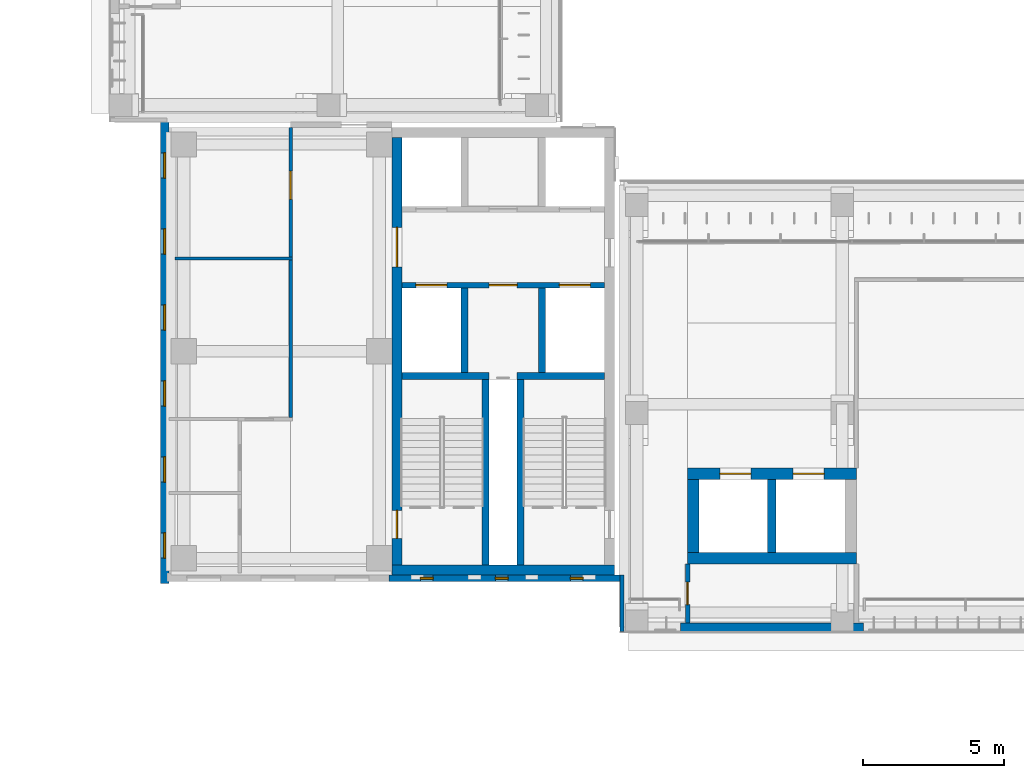
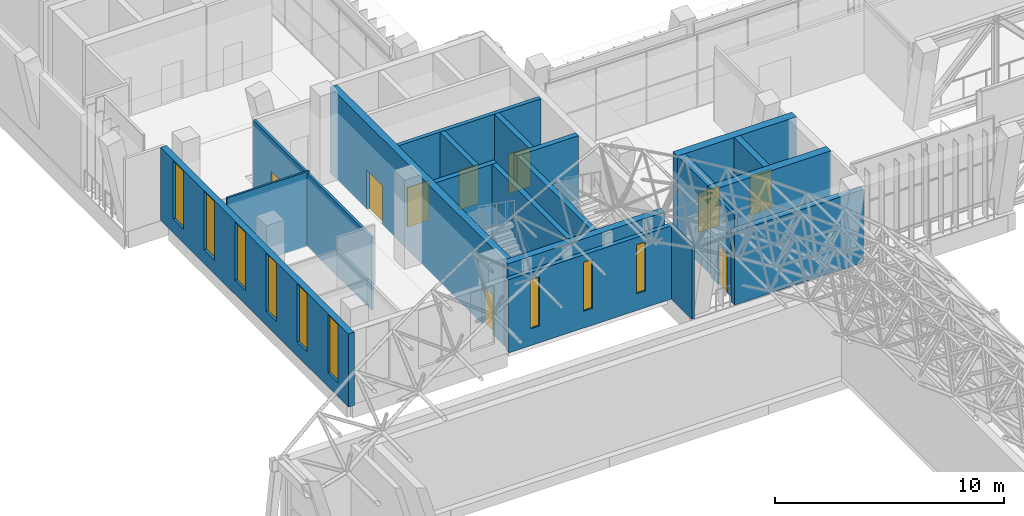
# One storey, part 104 of 141: 20 walls, 9 doors, 9 windows, 18 openings.
"""IFC4 building model written with IfcOpenShell, lengths in metres."""

from ifc_helpers import new_model, si_unit, direction, frame, frame_2d, origin, place, context, subcontext, project, spatial, rectangle, extrude, material, layer, layer_set, type_object, element, fill, save


model = new_model("IFC4")

# Units and contexts
model_context = context("Model", 3, precision=1e-05, world=origin(), true_north=direction((0.0, 1.0)))
body_context = subcontext(model_context, "Body", "Model", "MODEL_VIEW")
ifc_project = project(units=[si_unit("LENGTHUNIT", "METRE"), si_unit("AREAUNIT", "SQUARE_METRE"), si_unit("VOLUMEUNIT", "CUBIC_METRE"), si_unit("PLANEANGLEUNIT", "RADIAN"), si_unit("MASSUNIT", "GRAM", prefix="KILO")], contexts=[model_context])

# Site, building, storey
site_placement = place(None, origin())
site = spatial("IfcSite", under=ifc_project, at=site_placement, CompositionType="ELEMENT")
building_placement = place(site_placement, origin())
building = spatial("IfcBuilding", under=site, at=building_placement, Name="Lantern Court Media Centre", CompositionType="ELEMENT")
storey_placement = place(building_placement, frame((0.0, 0.0, 9.60009765625)))
storey = spatial("IfcBuildingStorey", under=building, at=storey_placement, Name="L02", CompositionType="ELEMENT", Elevation=9.60009765625)

# Wall, opening, door
ifc_material_1 = material(Name="Gypsum board partition")
ifc_layer_1 = layer(ifc_material_1, 0.125)
ifc_layer_set_1 = layer_set([ifc_layer_1], Name="Gypsum board partition")
wall_type_1 = type_object("IfcWallType", Name="Corridor partition 125", PredefinedType="PARTITIONING", material=ifc_layer_set_1)
wall_1_placement = place(storey_placement, frame((12.39990234375, 53.604736328125, 0.0), z_axis=(0.0, 0.0, 1.0), x_axis=(0.0, 1.0, 0.0)))
wall_1 = element("IfcWall", 1, at=wall_1_placement, inside=storey, type_object=wall_type_1, Name="L02 partition 036", PredefinedType="PARTITIONING", context=body_context, shape_type="SweptSolid", body=[
    extrude(rectangle(XDim=10.295166015625, YDim=0.125, at=frame_2d((5.1474609375, 0.0))), origin(), (0.0, 0.0, 1.0), 3.8798828125),
])
opening_1_placement = place(wall_1_placement, frame((7.7451171875, 0.0, 0.0)))
opening_1 = element("IfcOpeningElement", 2, at=opening_1_placement, cuts=wall_1, Name="Opening L02-032", PredefinedType="OPENING", context=body_context, shape_type="SweptSolid", body=[
    extrude(rectangle(XDim=1.0, YDim=2.10009765625, at=frame_2d((0.5, 1.050048828125))), frame((0.0, 0.072509765625, 0.0), z_axis=(0.0, -1.0, 0.0), x_axis=(1.0, 0.0, 0.0)), (0.0, 0.0, 1.0), 0.14501953125),
])
ifc_material_2 = material(Name="Solid-core timber door leaf", Category="wood")
door_type_1 = type_object("IfcDoorType", Name="Single door 1000x2100", OperationType="NOTDEFINED", PredefinedType="DOOR", material=ifc_material_2)
door_1_placement = place(opening_1_placement, origin())
door_1 = element("IfcDoor", 3, at=door_1_placement, inside=storey, type_object=door_type_1, Name="L02 Community Room 03 door", OperationType="SINGLE_SWING_LEFT", OverallHeight=2.10009765625, OverallWidth=1.0, PredefinedType="DOOR", context=body_context, shape_type="SweptSolid", body=[
    extrude(rectangle(XDim=1.0, YDim=2.10009765625, at=frame_2d((0.5, 1.050048828125))), frame((0.0, 0.02490234375, 0.0), z_axis=(0.0, -1.0, 0.0), x_axis=(1.0, 0.0, 0.0)), (0.0, 0.0, 1.0), 0.050048828125),
])
fill(opening_1, door_1)

# Wall, openings, doors
ifc_material_3 = material(Name="Concrete C40", Category="concrete")
ifc_layer_2 = layer(ifc_material_3, 0.199951171875)
ifc_layer_set_2 = layer_set([ifc_layer_2], Name="Concrete C40")
wall_type_2 = type_object("IfcWallType", Name="Fire lobby wall 200", PredefinedType="SOLIDWALL", material=ifc_layer_set_2)
wall_2_placement = place(storey_placement, frame((16.35009765625, 58.300048828125, 0.0), z_axis=(0.0, 0.0, 1.0), x_axis=(1.0, 0.0, 0.0)))
wall_2 = element("IfcWall", 4, at=wall_2_placement, inside=storey, type_object=wall_type_2, Name="L02 SW FW1", PredefinedType="SOLIDWALL", context=body_context, shape_type="SweptSolid", body=[
    extrude(rectangle(XDim=7.199951171875, YDim=0.199951171875, at=frame_2d((3.60009765625, 0.0))), origin(), (0.0, 0.0, 1.0), 4.5498046875),
])
opening_2_placement = place(wall_2_placement, frame((0.5, 0.0, 0.0)))
opening_2 = element("IfcOpeningElement", 5, at=opening_2_placement, cuts=wall_2, Name="Opening LD-SWFF-L02", PredefinedType="OPENING", context=body_context, shape_type="SweptSolid", body=[
    extrude(rectangle(XDim=1.10009765625, YDim=2.10009765625, at=frame_2d((0.550048828125, 1.050048828125))), frame((0.0, 0.10986328125, 0.0), z_axis=(0.0, -1.0, 0.0), x_axis=(1.0, 0.0, 0.0)), (0.0, 0.0, 1.0), 0.219970703125),
])
opening_3_placement = place(wall_2_placement, frame((5.60009765625, 0.0, 0.0)))
opening_3 = element("IfcOpeningElement", 6, at=opening_3_placement, cuts=wall_2, Name="Opening LD-SWP1-L02", PredefinedType="OPENING", context=body_context, shape_type="SweptSolid", body=[
    extrude(rectangle(XDim=1.10009765625, YDim=2.10009765625, at=frame_2d((0.550048828125, 1.050048828125))), frame((0.0, 0.10986328125, 0.0), z_axis=(0.0, -1.0, 0.0), x_axis=(1.0, 0.0, 0.0)), (0.0, 0.0, 1.0), 0.219970703125),
])
opening_4_placement = place(wall_2_placement, frame((3.10009765625, 0.0, 0.0)))
opening_4 = element("IfcOpeningElement", 7, at=opening_4_placement, cuts=wall_2, Name="Opening SW-L02-03", PredefinedType="OPENING", context=body_context, shape_type="SweptSolid", body=[
    extrude(rectangle(XDim=1.0, YDim=2.10009765625, at=frame_2d((0.5, 1.050048828125))), frame((0.0, 0.10986328125, 0.0), z_axis=(0.0, -1.0, 0.0), x_axis=(1.0, 0.0, 0.0)), (0.0, 0.0, 1.0), 0.219970703125),
])
ifc_material_4 = material(Name="Steel door leaf", Category="steel")
door_type_2 = type_object("IfcDoorType", Name="Lift landing door 1100x2100", OperationType="DOUBLE_DOOR_SLIDING", PredefinedType="DOOR", material=ifc_material_4)
door_2_placement = place(opening_2_placement, origin())
door_2 = element("IfcDoor", 8, at=door_2_placement, inside=storey, type_object=door_type_2, Name="L02 SW lift FF landing door", OperationType="DOUBLE_DOOR_SLIDING", OverallHeight=2.10009765625, OverallWidth=1.10009765625, PredefinedType="DOOR", context=body_context, shape_type="SweptSolid", body=[
    extrude(rectangle(XDim=1.10009765625, YDim=2.10009765625, at=frame_2d((0.550048828125, 1.050048828125))), frame((0.0, 0.02490234375, 0.0), z_axis=(0.0, -1.0, 0.0), x_axis=(1.0, 0.0, 0.0)), (0.0, 0.0, 1.0), 0.050048828125),
])
fill(opening_2, door_2)
door_3_placement = place(opening_3_placement, origin())
door_3 = element("IfcDoor", 9, at=door_3_placement, inside=storey, type_object=door_type_2, Name="L02 SW lift P1 landing door", OperationType="DOUBLE_DOOR_SLIDING", OverallHeight=2.10009765625, OverallWidth=1.10009765625, PredefinedType="DOOR", context=body_context, shape_type="SweptSolid", body=[
    extrude(rectangle(XDim=1.10009765625, YDim=2.10009765625, at=frame_2d((0.550048828125, 1.050048828125))), frame((0.0, 0.02490234375, 0.0), z_axis=(0.0, -1.0, 0.0), x_axis=(1.0, 0.0, 0.0)), (0.0, 0.0, 1.0), 0.050048828125),
])
fill(opening_3, door_3)
door_type_3 = type_object("IfcDoorType", Name="Service door 1000x2100", OperationType="NOTDEFINED", PredefinedType="DOOR", material=ifc_material_4)
door_4_placement = place(opening_4_placement, origin())
door_4 = element("IfcDoor", 10, at=door_4_placement, inside=storey, type_object=door_type_3, Name="L02 SW services riser door", OperationType="SINGLE_SWING_LEFT", OverallHeight=2.10009765625, OverallWidth=1.0, PredefinedType="DOOR", context=body_context, shape_type="SweptSolid", body=[
    extrude(rectangle(XDim=1.0, YDim=2.10009765625, at=frame_2d((0.5, 1.050048828125))), frame((0.0, 0.02490234375, 0.0), z_axis=(0.0, -1.0, 0.0), x_axis=(1.0, 0.0, 0.0)), (0.0, 0.0, 1.0), 0.050048828125),
])
fill(opening_4, door_4)

# Wall, openings, windows
ifc_material_5 = material(Name="Honed limestone cladding on blockwork", Category="masonry")
ifc_layer_3 = layer(ifc_material_5, 0.300048828125)
ifc_layer_set_3 = layer_set([ifc_layer_3], Name="Honed limestone cladding on blockwork")
wall_type_3 = type_object("IfcWallType", Name="Limestone block wall 300", PredefinedType="SOLIDWALL", material=ifc_layer_set_3)
wall_3_placement = place(storey_placement, frame((7.929931640625, 47.699951171875, 0.0), z_axis=(0.0, 0.0, 1.0), x_axis=(0.0, 1.0, 0.0)))
wall_3 = element("IfcWall", 11, at=wall_3_placement, inside=storey, type_object=wall_type_3, Name="Limestone wall SW W L02", PredefinedType="SOLIDWALL", context=body_context, shape_type="SweptSolid", body=[
    extrude(rectangle(XDim=16.400146484375, YDim=0.300048828125, at=frame_2d((8.2001953125, 0.0))), origin(), (0.0, 0.0, 1.0), 3.89990234375),
])
opening_5_placement = place(wall_3_placement, frame((0.89990234375, 0.0, 0.75)))
opening_5 = element("IfcOpeningElement", 12, at=opening_5_placement, cuts=wall_3, Name="Opening WN-N", PredefinedType="OPENING", context=body_context, shape_type="SweptSolid", body=[
    extrude(rectangle(XDim=0.89990234375, YDim=3.10009765625, at=frame_2d((0.449951171875, 1.550048828125))), frame((0.0, 0.159912109375, 0.0), z_axis=(0.0, -1.0, 0.0), x_axis=(1.0, 0.0, 0.0)), (0.0, 0.0, 1.0), 0.320068359375),
])
opening_6_placement = place(wall_3_placement, frame((3.60009765625, 0.0, 0.75)))
opening_6 = element("IfcOpeningElement", 13, at=opening_6_placement, cuts=wall_3, Name="Opening WN-N", PredefinedType="OPENING", context=body_context, shape_type="SweptSolid", body=[
    extrude(rectangle(XDim=0.89990234375, YDim=3.10009765625, at=frame_2d((0.449951171875, 1.550048828125))), frame((0.0, 0.159912109375, 0.0), z_axis=(0.0, -1.0, 0.0), x_axis=(1.0, 0.0, 0.0)), (0.0, 0.0, 1.0), 0.320068359375),
])
opening_7_placement = place(wall_3_placement, frame((6.300048828125, 0.0, 0.75)))
opening_7 = element("IfcOpeningElement", 14, at=opening_7_placement, cuts=wall_3, Name="Opening WN-N", PredefinedType="OPENING", context=body_context, shape_type="SweptSolid", body=[
    extrude(rectangle(XDim=0.89990234375, YDim=3.10009765625, at=frame_2d((0.449951171875, 1.550048828125))), frame((0.0, 0.159912109375, 0.0), z_axis=(0.0, -1.0, 0.0), x_axis=(1.0, 0.0, 0.0)), (0.0, 0.0, 1.0), 0.320068359375),
])
opening_8_placement = place(wall_3_placement, frame((9.0, 0.0, 0.75)))
opening_8 = element("IfcOpeningElement", 15, at=opening_8_placement, cuts=wall_3, Name="Opening WN-N", PredefinedType="OPENING", context=body_context, shape_type="SweptSolid", body=[
    extrude(rectangle(XDim=0.89990234375, YDim=3.10009765625, at=frame_2d((0.449951171875, 1.550048828125))), frame((0.0, 0.159912109375, 0.0), z_axis=(0.0, -1.0, 0.0), x_axis=(1.0, 0.0, 0.0)), (0.0, 0.0, 1.0), 0.320068359375),
])
opening_9_placement = place(wall_3_placement, frame((11.699951171875, 0.0, 0.75)))
opening_9 = element("IfcOpeningElement", 16, at=opening_9_placement, cuts=wall_3, Name="Opening WN-N", PredefinedType="OPENING", context=body_context, shape_type="SweptSolid", body=[
    extrude(rectangle(XDim=0.89990234375, YDim=3.10009765625, at=frame_2d((0.449951171875, 1.550048828125))), frame((0.0, 0.159912109375, 0.0), z_axis=(0.0, -1.0, 0.0), x_axis=(1.0, 0.0, 0.0)), (0.0, 0.0, 1.0), 0.320068359375),
])
opening_10_placement = place(wall_3_placement, frame((14.39990234375, 0.0, 0.75)))
opening_10 = element("IfcOpeningElement", 17, at=opening_10_placement, cuts=wall_3, Name="Opening WN-N", PredefinedType="OPENING", context=body_context, shape_type="SweptSolid", body=[
    extrude(rectangle(XDim=0.89990234375, YDim=3.10009765625, at=frame_2d((0.449951171875, 1.550048828125))), frame((0.0, 0.159912109375, 0.0), z_axis=(0.0, -1.0, 0.0), x_axis=(1.0, 0.0, 0.0)), (0.0, 0.0, 1.0), 0.320068359375),
])
ifc_material_6 = material(Name="Anodised aluminium and glass", Category="aluminium")
window_type_1 = type_object("IfcWindowType", Name="Pier window 900x3100", PartitioningType="SINGLE_PANEL", PredefinedType="WINDOW", material=ifc_material_6)
window_1_placement = place(opening_5_placement, origin())
window_1 = element("IfcWindow", 18, at=window_1_placement, inside=storey, type_object=window_type_1, Name="Window SW W L02", OverallHeight=3.10009765625, OverallWidth=0.89990234375, PartitioningType="SINGLE_PANEL", PredefinedType="WINDOW", context=body_context, shape_type="SweptSolid", body=[
    extrude(rectangle(XDim=0.89990234375, YDim=3.10009765625, at=frame_2d((0.449951171875, 1.550048828125))), frame((0.0, 0.030029296875, 0.0), z_axis=(0.0, -1.0, 0.0), x_axis=(1.0, 0.0, 0.0)), (0.0, 0.0, 1.0), 0.06005859375),
])
fill(opening_5, window_1)
window_2_placement = place(opening_6_placement, origin())
window_2 = element("IfcWindow", 19, at=window_2_placement, inside=storey, type_object=window_type_1, Name="Window SW W L02", OverallHeight=3.10009765625, OverallWidth=0.89990234375, PartitioningType="SINGLE_PANEL", PredefinedType="WINDOW", context=body_context, shape_type="SweptSolid", body=[
    extrude(rectangle(XDim=0.89990234375, YDim=3.10009765625, at=frame_2d((0.449951171875, 1.550048828125))), frame((0.0, 0.030029296875, 0.0), z_axis=(0.0, -1.0, 0.0), x_axis=(1.0, 0.0, 0.0)), (0.0, 0.0, 1.0), 0.06005859375),
])
fill(opening_6, window_2)
window_3_placement = place(opening_7_placement, origin())
window_3 = element("IfcWindow", 20, at=window_3_placement, inside=storey, type_object=window_type_1, Name="Window SW W L02", OverallHeight=3.10009765625, OverallWidth=0.89990234375, PartitioningType="SINGLE_PANEL", PredefinedType="WINDOW", context=body_context, shape_type="SweptSolid", body=[
    extrude(rectangle(XDim=0.89990234375, YDim=3.10009765625, at=frame_2d((0.449951171875, 1.550048828125))), frame((0.0, 0.030029296875, 0.0), z_axis=(0.0, -1.0, 0.0), x_axis=(1.0, 0.0, 0.0)), (0.0, 0.0, 1.0), 0.06005859375),
])
fill(opening_7, window_3)
window_4_placement = place(opening_8_placement, origin())
window_4 = element("IfcWindow", 21, at=window_4_placement, inside=storey, type_object=window_type_1, Name="Window SW W L02", OverallHeight=3.10009765625, OverallWidth=0.89990234375, PartitioningType="SINGLE_PANEL", PredefinedType="WINDOW", context=body_context, shape_type="SweptSolid", body=[
    extrude(rectangle(XDim=0.89990234375, YDim=3.10009765625, at=frame_2d((0.449951171875, 1.550048828125))), frame((0.0, 0.030029296875, 0.0), z_axis=(0.0, -1.0, 0.0), x_axis=(1.0, 0.0, 0.0)), (0.0, 0.0, 1.0), 0.06005859375),
])
fill(opening_8, window_4)
window_5_placement = place(opening_9_placement, origin())
window_5 = element("IfcWindow", 22, at=window_5_placement, inside=storey, type_object=window_type_1, Name="Window SW W L02", OverallHeight=3.10009765625, OverallWidth=0.89990234375, PartitioningType="SINGLE_PANEL", PredefinedType="WINDOW", context=body_context, shape_type="SweptSolid", body=[
    extrude(rectangle(XDim=0.89990234375, YDim=3.10009765625, at=frame_2d((0.449951171875, 1.550048828125))), frame((0.0, 0.030029296875, 0.0), z_axis=(0.0, -1.0, 0.0), x_axis=(1.0, 0.0, 0.0)), (0.0, 0.0, 1.0), 0.06005859375),
])
fill(opening_9, window_5)
window_6_placement = place(opening_10_placement, origin())
window_6 = element("IfcWindow", 23, at=window_6_placement, inside=storey, type_object=window_type_1, Name="Window SW W L02", OverallHeight=3.10009765625, OverallWidth=0.89990234375, PartitioningType="SINGLE_PANEL", PredefinedType="WINDOW", context=body_context, shape_type="SweptSolid", body=[
    extrude(rectangle(XDim=0.89990234375, YDim=3.10009765625, at=frame_2d((0.449951171875, 1.550048828125))), frame((0.0, 0.030029296875, 0.0), z_axis=(0.0, -1.0, 0.0), x_axis=(1.0, 0.0, 0.0)), (0.0, 0.0, 1.0), 0.06005859375),
])
fill(opening_10, window_6)

# Walls
ifc_layer_4 = layer(ifc_material_5, 0.139892578125)
ifc_layer_set_4 = layer_set([ifc_layer_4], Name="Honed limestone cladding on blockwork")
wall_type_4 = type_object("IfcWallType", Name="Limestone closure wall 140", PredefinedType="SOLIDWALL", material=ifc_layer_set_4)
wall_4_placement = place(storey_placement, frame((24.169921875, 46.0, 0.0), z_axis=(0.0, 0.0, 1.0), x_axis=(0.0, 1.0, 0.0)))
element("IfcWall", 24, at=wall_4_placement, inside=storey, type_object=wall_type_4, Name="Limestone closure wall S-SW L02", PredefinedType="SOLIDWALL", context=body_context, shape_type="SweptSolid", body=[
    extrude(rectangle(XDim=2.0, YDim=0.139892578125, at=frame_2d((1.0, 0.0))), origin(), (0.0, 0.0, 1.0), 3.89990234375),
])
ifc_layer_5 = layer(ifc_material_5, 0.300048828125)
ifc_layer_set_5 = layer_set([ifc_layer_5], Name="Honed limestone cladding on blockwork")
wall_type_5 = type_object("IfcWallType", Name="Limestone flank wall 300", PredefinedType="SOLIDWALL", material=ifc_layer_set_5)
wall_5_placement = place(storey_placement, frame((26.25, 46.14990234375, 0.0), z_axis=(0.0, 0.0, 1.0), x_axis=(1.0, 0.0, 0.0)))
element("IfcWall", 25, at=wall_5_placement, inside=storey, type_object=wall_type_5, Name="Limestone flank wall S outer L02", PredefinedType="SOLIDWALL", context=body_context, shape_type="SweptSolid", body=[
    extrude(rectangle(XDim=6.5, YDim=0.300048828125, at=frame_2d((3.25, 0.0))), origin(), (0.0, 0.0, 1.0), 3.89990234375),
])

# Wall, openings, windows
ifc_material_7 = material(Name="Honed limestone cladding on blockwork, reduced to 220 where it passes the core wall", Category="masonry")
ifc_layer_6 = layer(ifc_material_7, 0.219970703125)
ifc_layer_set_6 = layer_set([ifc_layer_6], Name="Honed limestone cladding on blockwork, reduced to 220 where it passes the core wall")
wall_type_6 = type_object("IfcWallType", Name="Limestone skin wall 220", PredefinedType="SOLIDWALL", material=ifc_layer_set_6)
wall_6_placement = place(storey_placement, frame((15.89990234375, 47.889892578125, 0.0), z_axis=(0.0, 0.0, 1.0), x_axis=(1.0, 0.0, 0.0)))
wall_6 = element("IfcWall", 26, at=wall_6_placement, inside=storey, type_object=wall_type_6, Name="Limestone wall SW S L02", PredefinedType="SOLIDWALL", context=body_context, shape_type="SweptSolid", body=[
    extrude(rectangle(XDim=8.2001953125, YDim=0.219970703125, at=frame_2d((4.10009765625, 0.0))), origin(), (0.0, 0.0, 1.0), 3.89990234375),
])
opening_11_placement = place(wall_6_placement, frame((1.1083984375, 0.0, 0.89990234375)))
opening_11 = element("IfcOpeningElement", 27, at=opening_11_placement, cuts=wall_6, Name="Opening WN-S", PredefinedType="OPENING", context=body_context, shape_type="SweptSolid", body=[
    extrude(rectangle(XDim=0.449951171875, YDim=2.60009765625, at=frame_2d((0.22509765625, 1.300048828125))), frame((0.0, 0.119873046875, 0.0), z_axis=(0.0, -1.0, 0.0), x_axis=(1.0, 0.0, 0.0)), (0.0, 0.0, 1.0), 0.239990234375),
])
opening_12_placement = place(wall_6_placement, frame((3.77490234375, 0.0, 0.89990234375)))
opening_12 = element("IfcOpeningElement", 28, at=opening_12_placement, cuts=wall_6, Name="Opening WN-S", PredefinedType="OPENING", context=body_context, shape_type="SweptSolid", body=[
    extrude(rectangle(XDim=0.449951171875, YDim=2.60009765625, at=frame_2d((0.22509765625, 1.300048828125))), frame((0.0, 0.119873046875, 0.0), z_axis=(0.0, -1.0, 0.0), x_axis=(1.0, 0.0, 0.0)), (0.0, 0.0, 1.0), 0.239990234375),
])
opening_13_placement = place(wall_6_placement, frame((6.441650390625, 0.0, 0.89990234375)))
opening_13 = element("IfcOpeningElement", 29, at=opening_13_placement, cuts=wall_6, Name="Opening WN-S", PredefinedType="OPENING", context=body_context, shape_type="SweptSolid", body=[
    extrude(rectangle(XDim=0.449951171875, YDim=2.60009765625, at=frame_2d((0.22509765625, 1.300048828125))), frame((0.0, 0.119873046875, 0.0), z_axis=(0.0, -1.0, 0.0), x_axis=(1.0, 0.0, 0.0)), (0.0, 0.0, 1.0), 0.239990234375),
])
window_type_2 = type_object("IfcWindowType", Name="Stair slit window 450x2600", PartitioningType="SINGLE_PANEL", PredefinedType="WINDOW", material=ifc_material_6)
window_7_placement = place(opening_11_placement, origin())
window_7 = element("IfcWindow", 30, at=window_7_placement, inside=storey, type_object=window_type_2, Name="Window SW S L02", OverallHeight=2.60009765625, OverallWidth=0.449951171875, PartitioningType="SINGLE_PANEL", PredefinedType="WINDOW", context=body_context, shape_type="SweptSolid", body=[
    extrude(rectangle(XDim=0.449951171875, YDim=2.60009765625, at=frame_2d((0.22509765625, 1.300048828125))), frame((0.0, 0.030029296875, 0.0), z_axis=(0.0, -1.0, 0.0), x_axis=(1.0, 0.0, 0.0)), (0.0, 0.0, 1.0), 0.06005859375),
])
fill(opening_11, window_7)
window_8_placement = place(opening_12_placement, origin())
window_8 = element("IfcWindow", 31, at=window_8_placement, inside=storey, type_object=window_type_2, Name="Window SW S L02", OverallHeight=2.60009765625, OverallWidth=0.449951171875, PartitioningType="SINGLE_PANEL", PredefinedType="WINDOW", context=body_context, shape_type="SweptSolid", body=[
    extrude(rectangle(XDim=0.449951171875, YDim=2.60009765625, at=frame_2d((0.22509765625, 1.300048828125))), frame((0.0, 0.030029296875, 0.0), z_axis=(0.0, -1.0, 0.0), x_axis=(1.0, 0.0, 0.0)), (0.0, 0.0, 1.0), 0.06005859375),
])
fill(opening_12, window_8)
window_9_placement = place(opening_13_placement, origin())
window_9 = element("IfcWindow", 32, at=window_9_placement, inside=storey, type_object=window_type_2, Name="Window SW S L02", OverallHeight=2.60009765625, OverallWidth=0.449951171875, PartitioningType="SINGLE_PANEL", PredefinedType="WINDOW", context=body_context, shape_type="SweptSolid", body=[
    extrude(rectangle(XDim=0.449951171875, YDim=2.60009765625, at=frame_2d((0.22509765625, 1.300048828125))), frame((0.0, 0.030029296875, 0.0), z_axis=(0.0, -1.0, 0.0), x_axis=(1.0, 0.0, 0.0)), (0.0, 0.0, 1.0), 0.06005859375),
])
fill(opening_13, window_9)

# Walls
ifc_layer_7 = layer(ifc_material_1, 0.10009765625)
ifc_layer_set_7 = layer_set([ifc_layer_7], Name="Gypsum board partition")
wall_type_7 = type_object("IfcWallType", Name="Partition 100", PredefinedType="PARTITIONING", material=ifc_layer_set_7)
wall_7_placement = place(storey_placement, frame((8.300048828125, 59.25, 0.0), z_axis=(0.0, 0.0, 1.0), x_axis=(1.0, 0.0, 0.0)))
element("IfcWall", 33, at=wall_7_placement, inside=storey, type_object=wall_type_7, Name="L02 partition 040", PredefinedType="PARTITIONING", context=body_context, shape_type="SweptSolid", body=[
    extrude(rectangle(XDim=4.162353515625, YDim=0.10009765625, at=frame_2d((2.0810546875, 0.0))), origin(), (0.0, 0.0, 1.0), 3.97998046875),
])
ifc_layer_8 = layer(ifc_material_3, 0.35009765625)
ifc_layer_set_8 = layer_set([ifc_layer_8], Name="Concrete C40")
wall_type_8 = type_object("IfcWallType", Name="RC CORE WALL 350", PredefinedType="SHEAR", material=ifc_layer_set_8)
wall_8_placement = place(storey_placement, frame((16.0, 48.175048828125, 0.0), z_axis=(0.0, 0.0, 1.0), x_axis=(1.0, 0.0, 0.0)))
element("IfcWall", 34, at=wall_8_placement, inside=storey, type_object=wall_type_8, Name="WC-SW-L02-S", PredefinedType="SHEAR", context=body_context, shape_type="SweptSolid", body=[
    extrude(rectangle(XDim=7.89990234375, YDim=0.35009765625, at=frame_2d((3.949951171875, 0.0))), origin(), (0.0, 0.0, 1.0), 4.579833984375),
])

# Wall, openings, doors
wall_9_placement = place(storey_placement, frame((16.175048828125, 48.35009765625, 0.0), z_axis=(0.0, 0.0, 1.0), x_axis=(0.0, 1.0, 0.0)))
wall_9 = element("IfcWall", 35, at=wall_9_placement, inside=storey, type_object=wall_type_8, Name="WC-SW-L02-W", PredefinedType="SHEAR", context=body_context, shape_type="SweptSolid", body=[
    extrude(rectangle(XDim=15.199951171875, YDim=0.35009765625, at=frame_2d((7.60009765625, 0.0))), origin(), (0.0, 0.0, 1.0), 4.579833984375),
])
opening_14_placement = place(wall_9_placement, frame((0.949951171875, 0.0, 0.0)))
opening_14 = element("IfcOpeningElement", 36, at=opening_14_placement, cuts=wall_9, Name="Opening SW-L02-01", PredefinedType="OPENING", context=body_context, shape_type="SweptSolid", body=[
    extrude(rectangle(XDim=1.0, YDim=2.10009765625, at=frame_2d((0.5, 1.050048828125))), frame((0.0, 0.18505859375, 0.0), z_axis=(0.0, -1.0, 0.0), x_axis=(1.0, 0.0, 0.0)), (0.0, 0.0, 1.0), 0.3701171875),
])
opening_15_placement = place(wall_9_placement, frame((10.60009765625, 0.0, 0.0)))
opening_15 = element("IfcOpeningElement", 37, at=opening_15_placement, cuts=wall_9, Name="Opening SW-L02-05", PredefinedType="OPENING", context=body_context, shape_type="SweptSolid", body=[
    extrude(rectangle(XDim=1.39990234375, YDim=2.10009765625, at=frame_2d((0.699951171875, 1.050048828125))), frame((0.0, 0.18505859375, 0.0), z_axis=(0.0, -1.0, 0.0), x_axis=(1.0, 0.0, 0.0)), (0.0, 0.0, 1.0), 0.3701171875),
])
door_type_4 = type_object("IfcDoorType", Name="Lift lobby double door 1400x2100", OperationType="NOTDEFINED", PredefinedType="DOOR", material=ifc_material_4)
door_5_placement = place(opening_15_placement, origin())
door_5 = element("IfcDoor", 38, at=door_5_placement, inside=storey, type_object=door_type_4, Name="L02 SW lift lobby west door", OperationType="SINGLE_SWING_LEFT", OverallHeight=2.10009765625, OverallWidth=1.39990234375, PredefinedType="DOOR", context=body_context, shape_type="SweptSolid", body=[
    extrude(rectangle(XDim=1.39990234375, YDim=2.10009765625, at=frame_2d((0.699951171875, 1.050048828125))), frame((0.0, 0.02490234375, 0.0), z_axis=(0.0, -1.0, 0.0), x_axis=(1.0, 0.0, 0.0)), (0.0, 0.0, 1.0), 0.050048828125),
])
fill(opening_15, door_5)
door_type_5 = type_object("IfcDoorType", Name="Stair door 1000x2100", OperationType="NOTDEFINED", PredefinedType="DOOR", material=ifc_material_4)
door_6_placement = place(opening_14_placement, origin())
door_6 = element("IfcDoor", 39, at=door_6_placement, inside=storey, type_object=door_type_5, Name="L02 SW stair A door", OperationType="SINGLE_SWING_LEFT", OverallHeight=2.10009765625, OverallWidth=1.0, PredefinedType="DOOR", context=body_context, shape_type="SweptSolid", body=[
    extrude(rectangle(XDim=1.0, YDim=2.10009765625, at=frame_2d((0.5, 1.050048828125))), frame((0.0, 0.02490234375, 0.0), z_axis=(0.0, -1.0, 0.0), x_axis=(1.0, 0.0, 0.0)), (0.0, 0.0, 1.0), 0.050048828125),
])
fill(opening_14, door_6)

# Walls
ifc_layer_9 = layer(ifc_material_3, 0.300048828125)
ifc_layer_set_9 = layer_set([ifc_layer_9], Name="Concrete C40")
wall_type_9 = type_object("IfcWallType", Name="RC SHEAR WALL 300", PredefinedType="SHEAR", material=ifc_layer_set_9)
wall_10_placement = place(storey_placement, frame((29.5, 48.800048828125, 0.0), z_axis=(0.0, 0.0, 1.0), x_axis=(0.0, 1.0, 0.0)))
element("IfcWall", 40, at=wall_10_placement, inside=storey, type_object=wall_type_9, Name="WB-S-LC1-L02-D", PredefinedType="SHEAR", context=body_context, shape_type="SweptSolid", body=[
    extrude(rectangle(XDim=2.599853515625, YDim=0.300048828125, at=frame_2d((1.2998046875, 0.0))), origin(), (0.0, 0.0, 1.0), 4.579833984375),
])
ifc_layer_10 = layer(ifc_material_3, 0.39990234375)
ifc_layer_set_10 = layer_set([ifc_layer_10], Name="Concrete C40")
wall_type_10 = type_object("IfcWallType", Name="RC SHEAR WALL 400", PredefinedType="SHEAR", material=ifc_layer_set_10)
wall_11_placement = place(storey_placement, frame((26.5, 48.60009765625, 0.0), z_axis=(0.0, 0.0, 1.0), x_axis=(1.0, 0.0, 0.0)))
element("IfcWall", 41, at=wall_11_placement, inside=storey, type_object=wall_type_10, Name="WB-S-LC1-L02-S", PredefinedType="SHEAR", context=body_context, shape_type="SweptSolid", body=[
    extrude(rectangle(XDim=6.0, YDim=0.39990234375, at=frame_2d((3.0, 0.0))), origin(), (0.0, 0.0, 1.0), 4.579833984375),
])

# Wall, openings, doors
wall_12_placement = place(storey_placement, frame((26.5, 51.60009765625, 0.0), z_axis=(0.0, 0.0, 1.0), x_axis=(1.0, 0.0, 0.0)))
wall_12 = element("IfcWall", 42, at=wall_12_placement, inside=storey, type_object=wall_type_10, Name="WB-S-LC1-L02-N", PredefinedType="SHEAR", context=body_context, shape_type="SweptSolid", body=[
    extrude(rectangle(XDim=6.0, YDim=0.39990234375, at=frame_2d((3.0, 0.0))), origin(), (0.0, 0.0, 1.0), 4.579833984375),
])
opening_16_placement = place(wall_12_placement, frame((1.14990234375, 0.0, 0.0)))
opening_16 = element("IfcOpeningElement", 43, at=opening_16_placement, cuts=wall_12, Name="Opening LD-S-LC1P-L02", PredefinedType="OPENING", context=body_context, shape_type="SweptSolid", body=[
    extrude(rectangle(XDim=1.10009765625, YDim=2.10009765625, at=frame_2d((0.550048828125, 1.050048828125))), frame((0.0, 0.2099609375, 0.0), z_axis=(0.0, -1.0, 0.0), x_axis=(1.0, 0.0, 0.0)), (0.0, 0.0, 1.0), 0.419921875),
])
opening_17_placement = place(wall_12_placement, frame((3.75, 0.0, 0.0)))
opening_17 = element("IfcOpeningElement", 44, at=opening_17_placement, cuts=wall_12, Name="Opening LD-S-LC1S-L02", PredefinedType="OPENING", context=body_context, shape_type="SweptSolid", body=[
    extrude(rectangle(XDim=1.10009765625, YDim=2.10009765625, at=frame_2d((0.550048828125, 1.050048828125))), frame((0.0, 0.2099609375, 0.0), z_axis=(0.0, -1.0, 0.0), x_axis=(1.0, 0.0, 0.0)), (0.0, 0.0, 1.0), 0.419921875),
])
door_7_placement = place(opening_16_placement, origin())
door_7 = element("IfcDoor", 45, at=door_7_placement, inside=storey, type_object=door_type_2, Name="L02 S-LC1 passenger lift landing door", OperationType="DOUBLE_DOOR_SLIDING", OverallHeight=2.10009765625, OverallWidth=1.10009765625, PredefinedType="DOOR", context=body_context, shape_type="SweptSolid", body=[
    extrude(rectangle(XDim=1.10009765625, YDim=2.10009765625, at=frame_2d((0.550048828125, 1.050048828125))), frame((0.0, 0.02490234375, 0.0), z_axis=(0.0, -1.0, 0.0), x_axis=(1.0, 0.0, 0.0)), (0.0, 0.0, 1.0), 0.050048828125),
])
fill(opening_16, door_7)
door_8_placement = place(opening_17_placement, origin())
door_8 = element("IfcDoor", 46, at=door_8_placement, inside=storey, type_object=door_type_2, Name="L02 S-LC1 service lift landing door", OperationType="DOUBLE_DOOR_SLIDING", OverallHeight=2.10009765625, OverallWidth=1.10009765625, PredefinedType="DOOR", context=body_context, shape_type="SweptSolid", body=[
    extrude(rectangle(XDim=1.10009765625, YDim=2.10009765625, at=frame_2d((0.550048828125, 1.050048828125))), frame((0.0, 0.02490234375, 0.0), z_axis=(0.0, -1.0, 0.0), x_axis=(1.0, 0.0, 0.0)), (0.0, 0.0, 1.0), 0.050048828125),
])
fill(opening_17, door_8)

# Walls
wall_13_placement = place(storey_placement, frame((26.699951171875, 48.800048828125, 0.0), z_axis=(0.0, 0.0, 1.0), x_axis=(0.0, 1.0, 0.0)))
element("IfcWall", 47, at=wall_13_placement, inside=storey, type_object=wall_type_10, Name="WB-S-LC1-L02-W", PredefinedType="SHEAR", context=body_context, shape_type="SweptSolid", body=[
    extrude(rectangle(XDim=2.599853515625, YDim=0.39990234375, at=frame_2d((1.2998046875, 0.0))), origin(), (0.0, 0.0, 1.0), 4.579833984375),
])
ifc_layer_11 = layer(ifc_material_3, 0.25)
ifc_layer_set_11 = layer_set([ifc_layer_11], Name="Concrete C40")
wall_type_11 = type_object("IfcWallType", Name="RC lift shaft wall 250", PredefinedType="SOLIDWALL", material=ifc_layer_set_11)
for number, where, z_axis, x_axis, name in (
    (48, (18.574951171875, 55.199951171875, 0.0), (0.0, 0.0, 1.0), (0.0, 1.0, 0.0), "L02 SW L1a"),
    (49, (21.324951171875, 55.199951171875, 0.0), (0.0, 0.0, 1.0), (0.0, 1.0, 0.0), "L02 SW L2a"),
):
    element("IfcWall", number, at=place(storey_placement, frame(where, z_axis=z_axis, x_axis=x_axis)), inside=storey, type_object=wall_type_11, Name=name, PredefinedType="SOLIDWALL", context=body_context, shape_type="SweptSolid", body=[
        extrude(rectangle(XDim=3.0, YDim=0.25, at=frame_2d((1.5, 0.0))), origin(), (0.0, 0.0, 1.0), 4.5498046875),
    ])
ifc_layer_12 = layer(ifc_material_3, 0.25)
ifc_layer_set_12 = layer_set([ifc_layer_12], Name="Concrete C40")
wall_type_12 = type_object("IfcWallType", Name="RC stair shaft wall 250", PredefinedType="SOLIDWALL", material=ifc_layer_set_12)
for number, where, z_axis, x_axis, name in (
    (50, (19.324951171875, 48.35009765625, 0.0), (0.0, 0.0, 1.0), (0.0, 1.0, 0.0), "L02 SW SA"),
    (51, (20.574951171875, 48.35009765625, 0.0), (0.0, 0.0, 1.0), (0.0, 1.0, 0.0), "L02 SW SB"),
):
    element("IfcWall", number, at=place(storey_placement, frame(where, z_axis=z_axis, x_axis=x_axis)), inside=storey, type_object=wall_type_12, Name=name, PredefinedType="SOLIDWALL", context=body_context, shape_type="SweptSolid", body=[
        extrude(rectangle(XDim=6.599853515625, YDim=0.25, at=frame_2d((3.2998046875, 0.0))), origin(), (0.0, 0.0, 1.0), 4.5498046875),
    ])
wall_14_placement = place(storey_placement, frame((16.35009765625, 55.074951171875, 0.0), z_axis=(0.0, 0.0, 1.0), x_axis=(1.0, 0.0, 0.0)))
element("IfcWall", 52, at=wall_14_placement, inside=storey, type_object=wall_type_12, Name="L02 SW SN1", PredefinedType="SOLIDWALL", context=body_context, shape_type="SweptSolid", body=[
    extrude(rectangle(XDim=3.099853515625, YDim=0.25, at=frame_2d((1.5498046875, 0.0))), origin(), (0.0, 0.0, 1.0), 4.5498046875),
])
wall_15_placement = place(storey_placement, frame((20.449951171875, 55.074951171875, 0.0), z_axis=(0.0, 0.0, 1.0), x_axis=(1.0, 0.0, 0.0)))
element("IfcWall", 53, at=wall_15_placement, inside=storey, type_object=wall_type_12, Name="L02 SW SN2", PredefinedType="SOLIDWALL", context=body_context, shape_type="SweptSolid", body=[
    extrude(rectangle(XDim=3.10009765625, YDim=0.25, at=frame_2d((1.550048828125, 0.0))), origin(), (0.0, 0.0, 1.0), 4.5498046875),
])

# Wall, opening, door
ifc_material_8 = material(Name="Fire-rated gypsum board")
ifc_layer_13 = layer(ifc_material_8, 0.159912109375)
ifc_layer_set_13 = layer_set([ifc_layer_13], Name="Fire-rated gypsum board")
wall_type_13 = type_object("IfcWallType", Name="Riser shaft liner wall 160", PredefinedType="PARTITIONING", material=ifc_layer_set_13)
wall_16_placement = place(storey_placement, frame((26.5, 46.300048828125, 0.0), z_axis=(0.0, 0.0, 1.0), x_axis=(0.0, 1.0, 0.0)))
wall_16 = element("IfcWall", 54, at=wall_16_placement, inside=storey, type_object=wall_type_13, Name="L02 partition 000", PredefinedType="PARTITIONING", context=body_context, shape_type="SweptSolid", body=[
    extrude(rectangle(XDim=2.099853515625, YDim=0.159912109375, at=frame_2d((1.0498046875, 0.0))), origin(), (0.0, 0.0, 1.0), 4.559814453125),
])
opening_18_placement = place(wall_16_placement, frame((0.64990234375, 0.0, 0.0)))
opening_18 = element("IfcOpeningElement", 55, at=opening_18_placement, cuts=wall_16, Name="Opening L02-001", PredefinedType="OPENING", context=body_context, shape_type="SweptSolid", body=[
    extrude(rectangle(XDim=0.800048828125, YDim=2.10009765625, at=frame_2d((0.39990234375, 1.050048828125))), frame((0.0, 0.08984375, 0.0), z_axis=(0.0, -1.0, 0.0), x_axis=(1.0, 0.0, 0.0)), (0.0, 0.0, 1.0), 0.179931640625),
])
door_type_6 = type_object("IfcDoorType", Name="Riser access fire door 800x2100", OperationType="NOTDEFINED", PredefinedType="DOOR", material=ifc_material_4)
door_9_placement = place(opening_18_placement, frame((0.800048828125, 0.0, 0.0), z_axis=(0.0, 0.0, 1.0), x_axis=(-1.0, 0.0, 0.0)))
door_9 = element("IfcDoor", 56, at=door_9_placement, inside=storey, type_object=door_type_6, Name="L02 Services Duct door", OperationType="SINGLE_SWING_RIGHT", OverallHeight=2.10009765625, OverallWidth=0.800048828125, PredefinedType="DOOR", context=body_context, shape_type="SweptSolid", body=[
    extrude(rectangle(XDim=0.800048828125, YDim=2.10009765625, at=frame_2d((0.39990234375, 1.050048828125))), frame((0.0, 0.02490234375, 0.0), z_axis=(0.0, -1.0, 0.0), x_axis=(1.0, 0.0, 0.0)), (0.0, 0.0, 1.0), 0.050048828125),
])
fill(opening_18, door_9)

save(model, "model.ifc")
